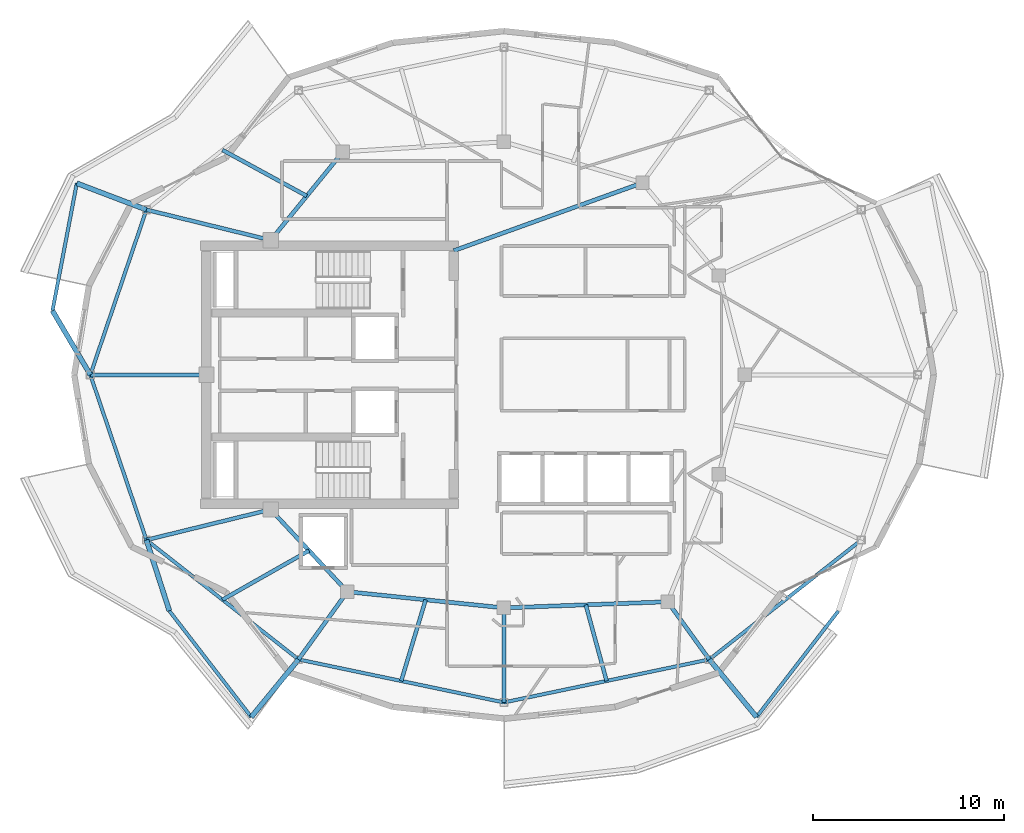
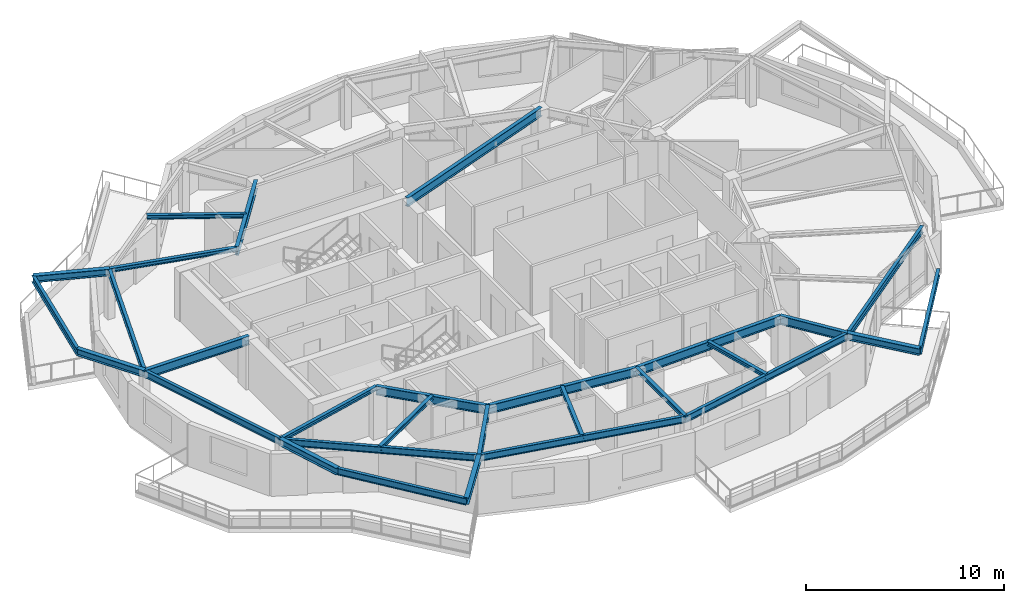
# One storey, part 2 of 14: 29 beams.
"""IFC4 building model written with IfcOpenShell, lengths in metres."""

import ifcopenshell
import ifcopenshell.guid

model = None  # the IFC model being written
_history = None  # IfcOwnerHistory: only IFC2X3 demands one
_inside = {}  # id of a spatial element -> (the spatial element, [elements in it])
_under = {}  # id of a project, library or spatial element -> (it, [spatial elements below it])
_declared = {}  # id of a project -> (the project, [libraries it declares])
_typed = {}  # id of a type object -> (the type object, [elements of that type])
_made_of = {}  # id of a material, layer set ... -> (it, [elements and type objects made of it])


def new_model(schema):
    """Start an empty IFC model of exactly this schema.

    Asked for "IFC4X3", IfcOpenShell would pick the latest addendum, in which some entities
    have other attributes; the version numbers below select the first issue.
    IFC2X3 requires an IfcOwnerHistory on every rooted entity: one is made here for all.
    """
    global model, _history
    if schema == "IFC4X3":
        model = ifcopenshell.file(schema_version=(4, 3, 0, 0))
    else:
        model = ifcopenshell.file(schema=schema)
    _inside.clear()
    _under.clear()
    _declared.clear()
    _typed.clear()
    _made_of.clear()
    _history = None
    if model.schema == "IFC2X3":
        org = make("IfcOrganization", Name="unknown")
        user = make(
            "IfcPersonAndOrganization",
            ThePerson=make("IfcPerson", FamilyName="unknown"),
            TheOrganization=org,
        )
        app = make(
            "IfcApplication",
            ApplicationDeveloper=org,
            Version="unknown",
            ApplicationFullName="unknown",
            ApplicationIdentifier="unknown",
        )
        _history = make(
            "IfcOwnerHistory",
            OwningUser=user,
            OwningApplication=app,
            ChangeAction="ADDED",
            CreationDate=0,
        )
    return model


def make(cls, **values):
    """One entity of the class cls with the attributes given. An attribute that is None is left unset."""
    return model.create_entity(
        cls, **{name: value for name, value in values.items() if value is not None}
    )


def rooted(cls, **values):
    """An entity with a GlobalId (a new one), such as an element, a storey or a relation."""
    return make(cls, GlobalId=ifcopenshell.guid.new(), OwnerHistory=_history, **values)


def si_unit(unit_type, name, prefix=None):
    """IfcSIUnit, for example si_unit("LENGTHUNIT", "METRE", prefix="MILLI")."""
    return make("IfcSIUnit", UnitType=unit_type, Prefix=prefix, Name=name)


def assignment(units):
    """IfcUnitAssignment: the units of a project."""
    return None if units is None else make("IfcUnitAssignment", Units=units)


def point(xyz):
    """IfcCartesianPoint."""
    return None if xyz is None else make("IfcCartesianPoint", Coordinates=xyz)


def direction(xyz):
    """IfcDirection."""
    return None if xyz is None else make("IfcDirection", DirectionRatios=xyz)


def frame(location, z_axis=None, x_axis=None):
    """IfcAxis2Placement3D, a coordinate frame: its origin and axes. An axis left out is left unset."""
    return make(
        "IfcAxis2Placement3D",
        Location=point(location),
        Axis=direction(z_axis),
        RefDirection=direction(x_axis),
    )


def frame_2d(location, x_axis=None):
    """IfcAxis2Placement2D, a coordinate frame in the plane: its origin and x axis."""
    return make(
        "IfcAxis2Placement2D", Location=point(location), RefDirection=direction(x_axis)
    )


def origin():
    """The frame at (0, 0, 0) with its axes left unset."""
    return frame((0.0, 0.0, 0.0))


def origin_2d():
    """The frame at (0, 0) in the plane with its x axis left unset."""
    return frame_2d((0.0, 0.0))


def place(relative_to, where):
    """IfcLocalPlacement: puts the frame where relative to a parent placement (None: the world)."""
    return make(
        "IfcLocalPlacement", PlacementRelTo=relative_to, RelativePlacement=where
    )


def context(
    kind, dimensions, precision=None, world=None, true_north=None, identifier=None
):
    """IfcGeometricRepresentationContext, for example the 3D "Model" context."""
    return make(
        "IfcGeometricRepresentationContext",
        ContextIdentifier=identifier,
        ContextType=kind,
        CoordinateSpaceDimension=dimensions,
        Precision=precision,
        WorldCoordinateSystem=world,
        TrueNorth=true_north,
    )


def subcontext(parent, identifier, kind, view, scale=None):
    """IfcGeometricRepresentationSubContext, for example "Body" below "Model"."""
    return make(
        "IfcGeometricRepresentationSubContext",
        ContextIdentifier=identifier,
        ContextType=kind,
        ParentContext=parent,
        TargetScale=scale,
        TargetView=view,
    )


def project(units=None, contexts=None):
    """IfcProject with its units and contexts."""
    return rooted(
        "IfcProject",
        Name="project",
        RepresentationContexts=contexts,
        UnitsInContext=assignment(units),
    )


def spatial(cls, under=None, at=None, **own):
    """A site, building, storey or space (cls), placed at a placement, below another one or the project."""
    s = rooted(cls, ObjectPlacement=at, **own)
    if under is not None:
        _under.setdefault(under.id(), (under, []))[1].append(s)
    return s


def profile(cls, at=None, kind="AREA", **sizes):
    """A parametric profile (cls). Its sizes go by their IFC names, for example OverallWidth=200.0."""
    return make(cls, ProfileType=kind, Position=at, **sizes)


def i_section(**sizes):
    """IfcIShapeProfileDef."""
    return profile("IfcIShapeProfileDef", **sizes)


def extrude(swept, where, along, depth):
    """IfcExtrudedAreaSolid: the profile swept, set in the frame where, extruded along a direction by depth."""
    return make(
        "IfcExtrudedAreaSolid",
        SweptArea=swept,
        Position=where,
        ExtrudedDirection=direction(along),
        Depth=depth,
    )


def shape(context_of_items, identifier, shape_type, items):
    """IfcShapeRepresentation: the items that make up one representation, for example the "Body"."""
    return make(
        "IfcShapeRepresentation",
        ContextOfItems=context_of_items,
        RepresentationIdentifier=identifier,
        RepresentationType=shape_type,
        Items=items,
    )


def material(Name=None, Category=None):
    """IfcMaterial."""
    return make("IfcMaterial", Name=Name, Category=Category)


def material_profile(
    of_material, cross_section, Name=None, Category=None, Priority=None
):
    """IfcMaterialProfile: a cross section and its material."""
    return make(
        "IfcMaterialProfile",
        Name=Name,
        Material=of_material,
        Profile=cross_section,
        Priority=Priority,
        Category=Category,
    )


def profile_set(profiles, Name=None, composite=None):
    """IfcMaterialProfileSet."""
    return make(
        "IfcMaterialProfileSet",
        Name=Name,
        MaterialProfiles=profiles,
        CompositeProfile=composite,
    )


def made_of(thing, what):
    """Note that an element or type object is made of a material, layer set ...; save() writes the relation."""
    if what is not None:
        _made_of.setdefault(what.id(), (what, []))[1].append(thing)
    return thing


def type_object(cls, material=None, **own):
    """A type object (cls), such as IfcWallType, which elements share."""
    return made_of(rooted(cls, **own), material)


def element(
    cls,
    number,
    at=None,
    inside=None,
    cuts=None,
    type_object=None,
    material=None,
    context=None,
    identifier="Body",
    shape_type=None,
    held_by="IfcProductDefinitionShape",
    body=None,
    shapes=None,
    **own,
):
    """One element of the class cls, such as IfcWall. Its Tag is "e" and its number.

    at: its placement. inside: the storey or other place that contains it. cuts: it is an
    opening in that element (IfcRelVoidsElement). A single representation is given by context,
    identifier, shape_type and body (its items); several are given by shapes. held_by: the class
    of the entity that holds the representations. save() writes the other relations.
    """
    e = rooted(cls, Tag="e%d" % number, ObjectPlacement=at, **own)
    if body is not None:
        shapes = [shape(context, identifier, shape_type, body)]
    if shapes is not None:
        e.Representation = make(held_by, Representations=shapes)
    if inside is not None:
        _inside.setdefault(inside.id(), (inside, []))[1].append(e)
    if cuts is not None:
        rooted(
            "IfcRelVoidsElement", RelatingBuildingElement=cuts, RelatedOpeningElement=e
        )
    if type_object is not None:
        _typed.setdefault(type_object.id(), (type_object, []))[1].append(e)
    return made_of(e, material)


def aggregate(whole, parts):
    """IfcRelAggregates: a whole, such as a stair, and the parts it consists of."""
    return rooted("IfcRelAggregates", RelatingObject=whole, RelatedObjects=parts)


def save(model, path):
    """Write the relations noted so far, then the file.

    IfcRelAggregates (storeys below a building ...), IfcRelContainedInSpatialStructure (elements
    in a storey), IfcRelDefinesByType, IfcRelAssociatesMaterial and IfcRelDeclares: one each for
    every whole, place, type object, material and project.
    """
    for whole, parts in _under.values():
        aggregate(whole, parts)
    for where, things in _inside.values():
        rooted(
            "IfcRelContainedInSpatialStructure",
            RelatedElements=things,
            RelatingStructure=where,
        )
    for kind, things in _typed.values():
        rooted("IfcRelDefinesByType", RelatedObjects=things, RelatingType=kind)
    for what, things in _made_of.values():
        rooted("IfcRelAssociatesMaterial", RelatedObjects=things, RelatingMaterial=what)
    for by, libraries in _declared.values():
        rooted("IfcRelDeclares", RelatingContext=by, RelatedDefinitions=libraries)
    model.write(path)


model = new_model("IFC4")

# Units and contexts
model_context = context("Model", 3, precision=1e-05, world=origin(), true_north=direction((0.0, 1.0)))
body_context = subcontext(model_context, "Body", "Model", "MODEL_VIEW")
ifc_project = project(units=[si_unit("LENGTHUNIT", "METRE"), si_unit("AREAUNIT", "SQUARE_METRE"), si_unit("VOLUMEUNIT", "CUBIC_METRE"), si_unit("PLANEANGLEUNIT", "RADIAN"), si_unit("MASSUNIT", "GRAM", prefix="KILO")], contexts=[model_context])

# Site, building, storey
site_placement = place(None, origin())
site = spatial("IfcSite", under=ifc_project, at=site_placement, CompositionType="ELEMENT")
building_placement = place(site_placement, origin())
building = spatial("IfcBuilding", under=site, at=building_placement, Name="Kolvaren Gate Tower and Convention Centre", CompositionType="ELEMENT")
storey_placement = place(building_placement, frame((0.0, 0.0, 239.300048828125)))
storey = spatial("IfcBuildingStorey", under=building, at=storey_placement, Name="L64", CompositionType="ELEMENT", Elevation=239.300048828125)

# Beams
ifc_material = material(Name="Structural steel ASTM A992 Grade 345 MPa", Category="steel")
ifc_material_profile_1 = material_profile(ifc_material, i_section(OverallWidth=0.260009765625, OverallDepth=0.419921875, WebThickness=0.013427734375, FlangeThickness=0.0224609375, at=origin_2d()), Name="W410X132")
ifc_profile_set_1 = profile_set([ifc_material_profile_1], Name="Structural steel ASTM A992 Grade 345 MPa")
beam_type_1 = type_object("IfcBeamType", Name="STR-BM-W410X132", PredefinedType="BEAM", material=ifc_profile_set_1)
beam_1_placement = place(storey_placement, frame((11.4111328125, 35.6435546875, 2.820556640625), z_axis=(-0.934583890573, 0.355742816485, 0.0), x_axis=(-0.355742816485, -0.934583890573, 0.0)))
element("IfcBeam", 1, at=beam_1_placement, inside=storey, type_object=beam_type_1, Name="Tower L65 Planted Balcony Outrigger Cantilever BC-2A", PredefinedType="BEAM", context=body_context, shape_type="SweptSolid", body=[
    extrude(i_section(OverallWidth=0.260009765625, OverallDepth=0.419921875, WebThickness=0.013427734375, FlangeThickness=0.0224609375, at=origin_2d()), origin(), (0.0, 0.0, 1.0), 3.900146484375),
])
beam_2_placement = place(storey_placement, frame((8.47509765625, 27.0, 2.820556640625), z_axis=(-0.508138645793, 0.861275285058, 0.0), x_axis=(-0.861275285058, -0.508138645793, 0.0)))
element("IfcBeam", 2, at=beam_2_placement, inside=storey, type_object=beam_type_1, Name="Tower L65 Planted Balcony Outrigger Cantilever BC-2B", PredefinedType="BEAM", context=body_context, shape_type="SweptSolid", body=[
    extrude(i_section(OverallWidth=0.260009765625, OverallDepth=0.419921875, WebThickness=0.013427734375, FlangeThickness=0.0224609375, at=origin_2d()), origin(), (0.0, 0.0, 1.0), 3.89990234375),
])
beam_3_placement = place(storey_placement, frame((11.4111328125, 18.3564453125, 2.820556640625), z_axis=(0.307670281141, -0.951493036287, 0.0), x_axis=(0.951493036287, 0.307670281141, 0.0)))
element("IfcBeam", 3, at=beam_3_placement, inside=storey, type_object=beam_type_1, Name="Tower L65 Planted Balcony Outrigger Cantilever BC-3A", PredefinedType="BEAM", context=body_context, shape_type="SweptSolid", body=[
    extrude(i_section(OverallWidth=0.260009765625, OverallDepth=0.419921875, WebThickness=0.013427734375, FlangeThickness=0.0224609375, at=origin_2d()), origin(), (0.0, 0.0, 1.0), 3.900146484375),
])
for number, where, z_axis, x_axis, name in (
    (4, (19.372314453125, 12.100830078125, 2.820556640625), (-0.634712723343, -0.77274818591, 0.0), (0.77274818591, -0.634712723343, 0.0), "Tower L65 Planted Balcony Outrigger Cantilever BC-3B"),
    (5, (40.877685546875, 12.100830078125, 2.820556640625), (0.634712723343, -0.77274818591, 0.0), (0.77274818591, 0.634712723343, 0.0), "Tower L65 Planted Balcony Outrigger Cantilever BC-4A"),
):
    element("IfcBeam", number, at=place(storey_placement, frame(where, z_axis=z_axis, x_axis=x_axis)), inside=storey, type_object=beam_type_1, Name=name, PredefinedType="BEAM", context=body_context, shape_type="SweptSolid", body=[
        extrude(i_section(OverallWidth=0.260009765625, OverallDepth=0.419921875, WebThickness=0.013427734375, FlangeThickness=0.0224609375, at=origin_2d()), origin(), (0.0, 0.0, 1.0), 3.89990234375),
    ])
ifc_material_profile_2 = material_profile(ifc_material, i_section(OverallWidth=0.2119140625, OverallDepth=0.5439453125, WebThickness=0.01318359375, FlangeThickness=0.021240234375, at=origin_2d()), Name="W530X123")
ifc_profile_set_2 = profile_set([ifc_material_profile_2], Name="Structural steel ASTM A992 Grade 345 MPa")
beam_type_2 = type_object("IfcBeamType", Name="STR-BM-W530X123", PredefinedType="BEAM", material=ifc_profile_set_2)
beam_4_placement = place(storey_placement, frame((21.697998046875, 38.6767578125, 2.758056640625), z_axis=(-0.633082074904, -0.774084676528, 0.0), x_axis=(0.774084676528, -0.633082074904, 0.0)))
element("IfcBeam", 6, at=beam_4_placement, inside=storey, type_object=beam_type_2, Name="Tower L64 Primary Ring Girder G-05", PredefinedType="BEAM", context=body_context, shape_type="SweptSolid", body=[
    extrude(i_section(OverallWidth=0.2119140625, OverallDepth=0.5439453125, WebThickness=0.01318359375, FlangeThickness=0.021240234375, at=origin_2d()), origin(), (0.0, 0.0, 1.0), 5.97705078125),
])
beam_5_placement = place(storey_placement, frame((17.9140625, 19.949951171875, 2.758056640625), z_axis=(0.682557592987, -0.730831808459, 0.0), x_axis=(0.730831808459, 0.682557592987, 0.0)))
element("IfcBeam", 7, at=beam_5_placement, inside=storey, type_object=beam_type_2, Name="Tower L64 Primary Ring Girder G-06", PredefinedType="BEAM", context=body_context, shape_type="SweptSolid", body=[
    extrude(i_section(OverallWidth=0.2119140625, OverallDepth=0.5439453125, WebThickness=0.01318359375, FlangeThickness=0.021240234375, at=origin_2d()), origin(), (0.0, 0.0, 1.0), 5.88671875),
])
beam_6_placement = place(storey_placement, frame((21.93212890625, 15.647705078125, 2.758056640625), z_axis=(0.994690329115, -0.102913308978, 0.0), x_axis=(0.102913308978, 0.994690329115, 0.0)))
element("IfcBeam", 8, at=beam_6_placement, inside=storey, type_object=beam_type_2, Name="Tower L64 Primary Ring Girder G-07", PredefinedType="BEAM", context=body_context, shape_type="SweptSolid", body=[
    extrude(i_section(OverallWidth=0.2119140625, OverallDepth=0.5439453125, WebThickness=0.01318359375, FlangeThickness=0.021240234375, at=origin_2d()), origin(), (0.0, 0.0, 1.0), 8.236572265625),
])
beam_7_placement = place(storey_placement, frame((30.125, 14.800048828125, 2.758056640625), z_axis=(0.999301712453, 0.037364254142, 0.0), x_axis=(-0.037364254142, 0.999301712453, 0.0)))
element("IfcBeam", 9, at=beam_7_placement, inside=storey, type_object=beam_type_2, Name="Tower L64 Primary Ring Girder G-08", PredefinedType="BEAM", context=body_context, shape_type="SweptSolid", body=[
    extrude(i_section(OverallWidth=0.2119140625, OverallDepth=0.5439453125, WebThickness=0.01318359375, FlangeThickness=0.021240234375, at=origin_2d()), origin(), (0.0, 0.0, 1.0), 8.579345703125),
])
beam_8_placement = place(storey_placement, frame((27.5, 33.5, 2.758056640625), z_axis=(0.940961479908, 0.338513653093, 0.0), x_axis=(-0.338513653093, 0.940961479908, 0.0)))
element("IfcBeam", 10, at=beam_8_placement, inside=storey, type_object=beam_type_2, Name="Tower L64 Primary Ring Girder G-10", PredefinedType="BEAM", context=body_context, shape_type="SweptSolid", body=[
    extrude(i_section(OverallWidth=0.2119140625, OverallDepth=0.5439453125, WebThickness=0.01318359375, FlangeThickness=0.021240234375, at=origin_2d()), origin(), (0.0, 0.0, 1.0), 10.501708984375),
])
beam_9_placement = place(storey_placement, frame((14.550048828125, 27.0, 2.758056640625), z_axis=(-1.0, 0.0, 0.0), x_axis=(0.0, -1.0, 0.0)))
element("IfcBeam", 11, at=beam_9_placement, inside=storey, type_object=beam_type_2, Name="Tower L64 Radial Floor Girder RB-07", PredefinedType="BEAM", context=body_context, shape_type="SweptSolid", body=[
    extrude(i_section(OverallWidth=0.2119140625, OverallDepth=0.5439453125, WebThickness=0.01318359375, FlangeThickness=0.021240234375, at=origin_2d()), origin(), (0.0, 0.0, 1.0), 6.074951171875),
])
beam_10_placement = place(storey_placement, frame((21.93212890625, 15.647705078125, 2.758056640625), z_axis=(-0.585217447343, -0.810876402003, 0.0), x_axis=(0.810876402003, -0.585217447343, 0.0)))
element("IfcBeam", 12, at=beam_10_placement, inside=storey, type_object=beam_type_2, Name="Tower L64 Radial Floor Girder RB-09", PredefinedType="BEAM", context=body_context, shape_type="SweptSolid", body=[
    extrude(i_section(OverallWidth=0.2119140625, OverallDepth=0.5439453125, WebThickness=0.01318359375, FlangeThickness=0.021240234375, at=origin_2d()), origin(), (0.0, 0.0, 1.0), 4.3740234375),
])
beam_11_placement = place(storey_placement, frame((38.6982421875, 15.12060546875, 2.758056640625), z_axis=(0.58522483817, -0.81087106792, 0.0), x_axis=(0.81087106792, 0.58522483817, 0.0)))
element("IfcBeam", 13, at=beam_11_placement, inside=storey, type_object=beam_type_2, Name="Tower L64 Radial Floor Girder RB-11", PredefinedType="BEAM", context=body_context, shape_type="SweptSolid", body=[
    extrude(i_section(OverallWidth=0.2119140625, OverallDepth=0.5439453125, WebThickness=0.01318359375, FlangeThickness=0.021240234375, at=origin_2d()), origin(), (0.0, 0.0, 1.0), 3.72412109375),
])
ifc_material_profile_3 = material_profile(ifc_material, i_section(OverallWidth=0.202880859375, OverallDepth=0.251953125, WebThickness=0.008056640625, FlangeThickness=0.013427734375, at=origin_2d()), Name="W250X58")
ifc_profile_set_3 = profile_set([ifc_material_profile_3], Name="Structural steel ASTM A992 Grade 345 MPa")
beam_type_3 = type_object("IfcBeamType", Name="STR-JS-W250X58", PredefinedType="JOIST", material=ifc_profile_set_3)
for number, where, z_axis, x_axis, name in (
    (14, (17.9140625, 34.050048828125, 2.904052734375), (-0.971264462968, 0.238002821362, 0.0), (-0.238002821362, -0.971264462968, 0.0), "Tower L64 Radial Floor Girder RB-06"),
    (15, (17.9140625, 19.949951171875, 2.904052734375), (-0.971264462968, -0.238002821362, 0.0), (0.238002821362, -0.971264462968, 0.0), "Tower L64 Radial Floor Girder RB-08"),
):
    element("IfcBeam", number, at=place(storey_placement, frame(where, z_axis=z_axis, x_axis=x_axis)), inside=storey, type_object=beam_type_3, Name=name, PredefinedType="JOIST", context=body_context, shape_type="SweptSolid", body=[
        extrude(i_section(OverallWidth=0.202880859375, OverallDepth=0.251953125, WebThickness=0.008056640625, FlangeThickness=0.013427734375, at=origin_2d()), origin(), (0.0, 0.0, 1.0), 6.6953125),
    ])
beam_12_placement = place(storey_placement, frame((30.125, 14.800048828125, 2.904052734375), z_axis=(0.0, -1.0, 0.0), x_axis=(1.0, 0.0, 0.0)))
element("IfcBeam", 16, at=beam_12_placement, inside=storey, type_object=beam_type_3, Name="Tower L64 Radial Floor Girder RB-10", PredefinedType="JOIST", context=body_context, shape_type="SweptSolid", body=[
    extrude(i_section(OverallWidth=0.202880859375, OverallDepth=0.251953125, WebThickness=0.008056640625, FlangeThickness=0.013427734375, at=origin_2d()), origin(), (0.0, 0.0, 1.0), 4.949951171875),
])
beam_13_placement = place(storey_placement, frame((19.805908203125, 36.36328125, 2.904052734375), z_axis=(-0.8778621722, 0.478913360244, 0.0), x_axis=(-0.478913360244, -0.8778621722, 0.0)))
element("IfcBeam", 17, at=beam_13_placement, inside=storey, type_object=beam_type_3, Name="Tower L64 Secondary Composite Floor Joist J-05.1", PredefinedType="JOIST", context=body_context, shape_type="SweptSolid", body=[
    extrude(i_section(OverallWidth=0.202880859375, OverallDepth=0.251953125, WebThickness=0.008056640625, FlangeThickness=0.013427734375, at=origin_2d()), origin(), (0.0, 0.0, 1.0), 5.028564453125),
])
beam_14_placement = place(storey_placement, frame((19.923095703125, 17.798828125, 2.904052734375), z_axis=(-0.869819092813, -0.493370799479, 0.0), x_axis=(0.493370799479, -0.869819092813, 0.0)))
element("IfcBeam", 18, at=beam_14_placement, inside=storey, type_object=beam_type_3, Name="Tower L64 Secondary Composite Floor Joist J-08.1", PredefinedType="JOIST", context=body_context, shape_type="SweptSolid", body=[
    extrude(i_section(OverallWidth=0.202880859375, OverallDepth=0.251953125, WebThickness=0.008056640625, FlangeThickness=0.013427734375, at=origin_2d()), origin(), (0.0, 0.0, 1.0), 5.209716796875),
])
beam_15_placement = place(storey_placement, frame((26.028564453125, 15.223876953125, 2.904052734375), z_axis=(-0.288427961133, -0.957501598556, 0.0), x_axis=(0.957501598556, -0.288427961133, 0.0)))
element("IfcBeam", 19, at=beam_15_placement, inside=storey, type_object=beam_type_3, Name="Tower L64 Secondary Composite Floor Joist J-09.1", PredefinedType="JOIST", context=body_context, shape_type="SweptSolid", body=[
    extrude(i_section(OverallWidth=0.202880859375, OverallDepth=0.251953125, WebThickness=0.008056640625, FlangeThickness=0.013427734375, at=origin_2d()), origin(), (0.0, 0.0, 1.0), 4.43701171875),
])
beam_16_placement = place(storey_placement, frame((34.41162109375, 14.960205078125, 2.904052734375), z_axis=(0.263752420282, -0.964590410898, 0.0), x_axis=(0.964590410898, 0.263752420282, 0.0)))
element("IfcBeam", 20, at=beam_16_placement, inside=storey, type_object=beam_type_3, Name="Tower L64 Secondary Composite Floor Joist J-10.1", PredefinedType="JOIST", context=body_context, shape_type="SweptSolid", body=[
    extrude(i_section(OverallWidth=0.202880859375, OverallDepth=0.251953125, WebThickness=0.008056640625, FlangeThickness=0.013427734375, at=origin_2d()), origin(), (0.0, 0.0, 1.0), 4.131103515625),
])
ifc_material_profile_4 = material_profile(ifc_material, i_section(OverallWidth=0.180908203125, OverallDepth=0.4169921875, WebThickness=0.010986328125, FlangeThickness=0.018310546875, at=origin_2d()), Name="W410X85")
ifc_profile_set_4 = profile_set([ifc_material_profile_4], Name="Structural steel ASTM A992 Grade 345 MPa")
beam_type_4 = type_object("IfcBeamType", Name="STR-SP-W410X85", PredefinedType="SPANDREL", material=ifc_profile_set_4)
for number, where, z_axis, x_axis, name in (
    (21, (11.4111328125, 35.6435546875, 2.821533203125), (-0.32163038352, -0.946865300028, 0.0), (0.946865300028, -0.32163038352, 0.0), "Tower L64 Perimeter Spandrel Beam SP-06"),
    (22, (8.47509765625, 27.0, 2.821533203125), (0.32163038352, -0.946865300028, 0.0), (0.946865300028, 0.32163038352, 0.0), "Tower L64 Perimeter Spandrel Beam SP-07"),
):
    element("IfcBeam", number, at=place(storey_placement, frame(where, z_axis=z_axis, x_axis=x_axis)), inside=storey, type_object=beam_type_4, Name=name, PredefinedType="SPANDREL", context=body_context, shape_type="SweptSolid", body=[
        extrude(i_section(OverallWidth=0.180908203125, OverallDepth=0.4169921875, WebThickness=0.010986328125, FlangeThickness=0.018310546875, at=origin_2d()), origin(), (0.0, 0.0, 1.0), 9.128662109375),
    ])
beam_17_placement = place(storey_placement, frame((11.4111328125, 18.3564453125, 2.821533203125), z_axis=(0.786299093723, -0.61784604491, 0.0), x_axis=(0.61784604491, 0.786299093723, 0.0)))
element("IfcBeam", 23, at=beam_17_placement, inside=storey, type_object=beam_type_4, Name="Tower L64 Perimeter Spandrel Beam SP-08", PredefinedType="SPANDREL", context=body_context, shape_type="SweptSolid", body=[
    extrude(i_section(OverallWidth=0.180908203125, OverallDepth=0.4169921875, WebThickness=0.010986328125, FlangeThickness=0.018310546875, at=origin_2d()), origin(), (0.0, 0.0, 1.0), 10.124755859375),
])
for number, where, z_axis, x_axis, name in (
    (24, (19.372314453125, 12.100830078125, 2.821533203125), (0.97878751616, -0.204878008117, 0.0), (0.204878008117, 0.97878751616, 0.0), "Tower L64 Perimeter Spandrel Beam SP-09"),
    (25, (30.125, 9.85009765625, 2.821533203125), (0.97878751616, 0.204878008117, 0.0), (-0.204878008117, 0.97878751616, 0.0), "Tower L64 Perimeter Spandrel Beam SP-10"),
):
    element("IfcBeam", number, at=place(storey_placement, frame(where, z_axis=z_axis, x_axis=x_axis)), inside=storey, type_object=beam_type_4, Name=name, PredefinedType="SPANDREL", context=body_context, shape_type="SweptSolid", body=[
        extrude(i_section(OverallWidth=0.180908203125, OverallDepth=0.4169921875, WebThickness=0.010986328125, FlangeThickness=0.018310546875, at=origin_2d()), origin(), (0.0, 0.0, 1.0), 10.98583984375),
    ])
beam_18_placement = place(storey_placement, frame((40.877685546875, 12.100830078125, 2.821533203125), z_axis=(0.786299093723, 0.61784604491, 0.0), x_axis=(-0.61784604491, 0.786299093723, 0.0)))
element("IfcBeam", 26, at=beam_18_placement, inside=storey, type_object=beam_type_4, Name="Tower L64 Perimeter Spandrel Beam SP-11", PredefinedType="SPANDREL", context=body_context, shape_type="SweptSolid", body=[
    extrude(i_section(OverallWidth=0.180908203125, OverallDepth=0.4169921875, WebThickness=0.010986328125, FlangeThickness=0.018310546875, at=origin_2d()), origin(), (0.0, 0.0, 1.0), 10.124755859375),
])
beam_19_placement = place(storey_placement, frame((7.76611328125, 37.031005859375, 2.822021484375), z_axis=(-0.187371410824, -0.982289139921, 0.0), x_axis=(0.982289139921, -0.187371410824, 0.0)))
element("IfcBeam", 27, at=beam_19_placement, inside=storey, type_object=beam_type_4, Name="Tower L65 Planted Balcony Header Tie Beam BT-2", PredefinedType="SPANDREL", context=body_context, shape_type="SweptSolid", body=[
    extrude(i_section(OverallWidth=0.180908203125, OverallDepth=0.4169921875, WebThickness=0.010986328125, FlangeThickness=0.018310546875, at=origin_2d()), origin(), (0.0, 0.0, 1.0), 6.79248046875),
])
for number, where, z_axis, x_axis, name in (
    (28, (12.611083984375, 14.6455078125, 2.822021484375), (0.610626494716, -0.791918735699, 0.0), (0.791918735699, 0.610626494716, 0.0), "Tower L65 Planted Balcony Header Tie Beam BT-3"),
    (29, (43.35302734375, 9.087158203125, 2.822021484375), (0.610626494716, 0.791918735699, 0.0), (-0.791918735699, 0.610626494716, 0.0), "Tower L65 Planted Balcony Header Tie Beam BT-4"),
):
    element("IfcBeam", number, at=place(storey_placement, frame(where, z_axis=z_axis, x_axis=x_axis)), inside=storey, type_object=beam_type_4, Name=name, PredefinedType="SPANDREL", context=body_context, shape_type="SweptSolid", body=[
        extrude(i_section(OverallWidth=0.180908203125, OverallDepth=0.4169921875, WebThickness=0.010986328125, FlangeThickness=0.018310546875, at=origin_2d()), origin(), (0.0, 0.0, 1.0), 7.018798828125),
    ])

save(model, "model.ifc")
